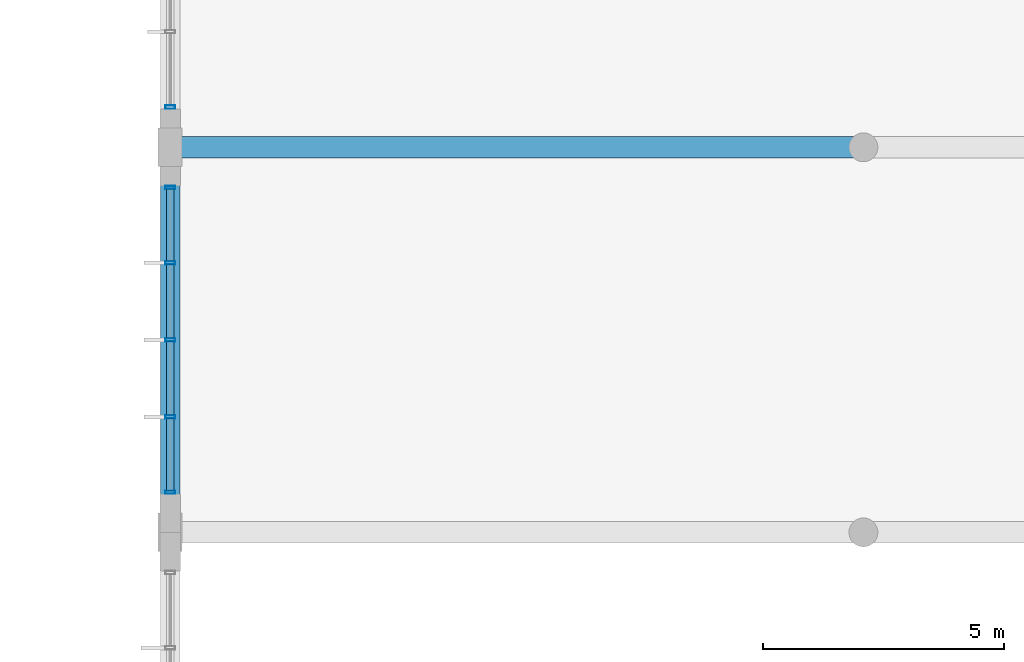
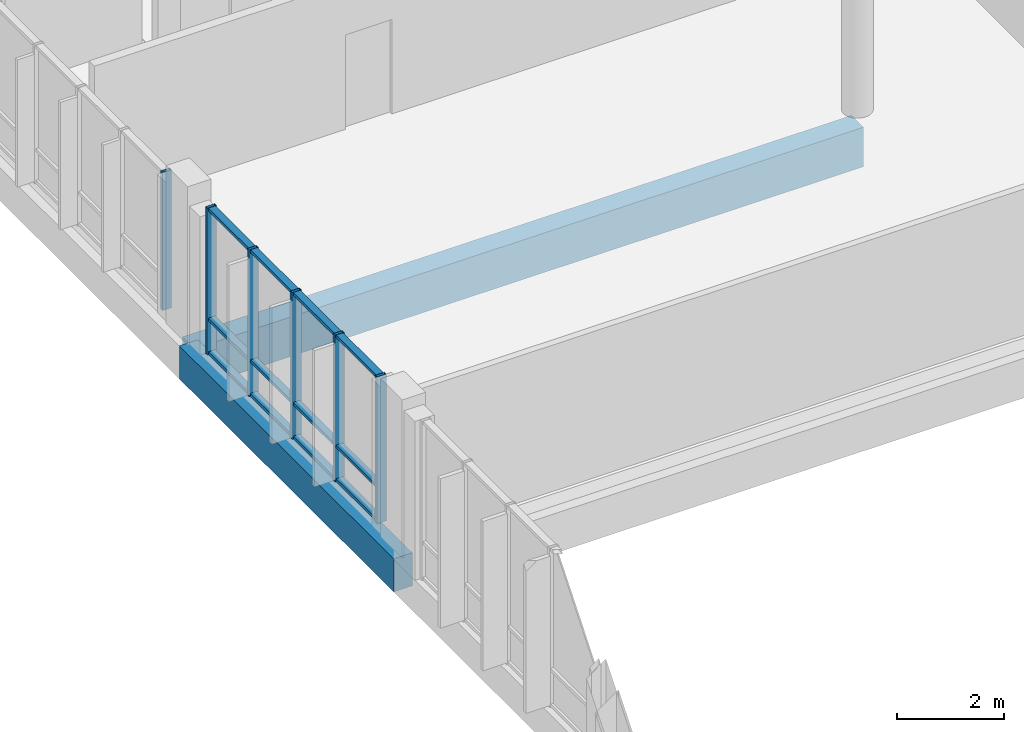
# One storey, part 75 of 189: 18 members, 2 beams, 2 elements without a shape of their own.
"""IFC4 building model written with IfcOpenShell, lengths in metres."""

from ifc_helpers import new_model, si_unit, direction, frame, origin, origin_2d, place, context, subcontext, project, spatial, rectangle, hollow_rectangle, extrude, material, material_profile, profile_set, type_object, element, aggregate, save


model = new_model("IFC4")

# Units and contexts
model_context = context("Model", 3, precision=1e-05, world=origin(), true_north=direction((0.0, 1.0)))
body_context = subcontext(model_context, "Body", "Model", "MODEL_VIEW")
ifc_project = project(units=[si_unit("LENGTHUNIT", "METRE"), si_unit("AREAUNIT", "SQUARE_METRE"), si_unit("VOLUMEUNIT", "CUBIC_METRE"), si_unit("PLANEANGLEUNIT", "RADIAN"), si_unit("MASSUNIT", "GRAM", prefix="KILO")], contexts=[model_context])

# Site, building, storey
site_placement = place(None, origin())
site = spatial("IfcSite", under=ifc_project, at=site_placement, CompositionType="ELEMENT")
building_placement = place(site_placement, origin())
building = spatial("IfcBuilding", under=site, at=building_placement, Name="Zavelmont Quarter", CompositionType="ELEMENT")
storey_placement = place(building_placement, frame((0.0, 0.0, 4.39990234375)))
storey = spatial("IfcBuildingStorey", under=building, at=storey_placement, Name="L01", CompositionType="ELEMENT", Elevation=4.39990234375)

# Beams
ifc_material_1 = material(Name="Concrete C40/50", Category="concrete")
ifc_material_profile_1 = material_profile(ifc_material_1, rectangle(XDim=0.39990234375, YDim=0.75, at=origin_2d()), Name="RC400X750")
ifc_profile_set_1 = profile_set([ifc_material_profile_1], Name="Concrete C40/50")
beam_type_1 = type_object("IfcBeamType", Name="BM05", PredefinedType="BEAM", material=ifc_profile_set_1)
beam_1_placement = place(storey_placement, frame((55.199951171875, 62.0, -0.65478515625), z_axis=(0.0, 1.0, 0.0), x_axis=(-1.0, 0.0, 0.0)))
element("IfcBeam", 1, at=beam_1_placement, inside=storey, type_object=beam_type_1, Name="L01 beam BM05 9/K to 9/L", PredefinedType="BEAM", context=body_context, shape_type="SweptSolid", body=[
    extrude(rectangle(XDim=0.39990234375, YDim=0.75, at=origin_2d()), origin(), (0.0, 0.0, 1.0), 8.0),
])
ifc_material_profile_2 = material_profile(ifc_material_1, rectangle(XDim=0.449951171875, YDim=0.89990234375, at=origin_2d()), Name="RC450X900")
ifc_profile_set_2 = profile_set([ifc_material_profile_2], Name="Concrete C40/50")
beam_type_2 = type_object("IfcBeamType", Name="BM06", PredefinedType="BEAM", material=ifc_profile_set_2)
beam_2_placement = place(storey_placement, frame((55.199951171875, 70.0, -0.72998046875), z_axis=(1.0, 0.0, 0.0), x_axis=(0.0, 1.0, 0.0)))
element("IfcBeam", 2, at=beam_2_placement, inside=storey, type_object=beam_type_2, Name="L01 beam BM06 9/L to 11/L", PredefinedType="BEAM", context=body_context, shape_type="SweptSolid", body=[
    extrude(rectangle(XDim=0.449951171875, YDim=0.89990234375, at=origin_2d()), origin(), (0.0, 0.0, 1.0), 14.400146484375),
])

# Curtain wall, members
ifc_material_2 = material(Name="Thermally broken aluminium and double low-E safety glazing", Category="aluminium")
curtain_wall_type_1 = type_object("IfcCurtainWallType", Name="CW-640X334", PredefinedType="NOTDEFINED", material=ifc_material_2)
curtain_wall_1_placement = place(storey_placement, origin())
curtain_wall_1 = element("IfcCurtainWall", 3, at=curtain_wall_1_placement, inside=storey, type_object=curtain_wall_type_1, Name="L01 unitised curtain wall CW-640X334", PredefinedType="NOTDEFINED")
ifc_material_3 = material(Name="Powder-coated aluminium EN AW-6063-T6", Category="aluminium")
ifc_material_profile_3 = material_profile(ifc_material_3, hollow_rectangle(XDim=0.070068359375, YDim=0.199951171875, WallThickness=0.0048828125, at=origin_2d()), Name="CWM70X200")
ifc_profile_set_3 = profile_set([ifc_material_profile_3], Name="Powder-coated aluminium EN AW-6063-T6")
member_type_1 = type_object("IfcMemberType", Name="CWM02", PredefinedType="MULLION", material=ifc_profile_set_3)
member_1_placement = place(storey_placement, frame((55.199951171875, 62.8349609375, 0.0), z_axis=(0.0, 0.0, 1.0), x_axis=(0.0, 1.0, 0.0)))
member_1 = element("IfcMember", 4, at=member_1_placement, type_object=member_type_1, Name="CW-640X334 mullion 1", PredefinedType="MULLION", context=body_context, shape_type="SweptSolid", body=[
    extrude(hollow_rectangle(XDim=0.070068359375, YDim=0.199951171875, WallThickness=0.0048828125, at=origin_2d()), origin(), (0.0, 0.0, 1.0), 3.340087890625),
])
member_2_placement = place(storey_placement, frame((55.199951171875, 64.39990234375, 0.0), z_axis=(0.0, 0.0, 1.0), x_axis=(0.0, 1.0, 0.0)))
member_2 = element("IfcMember", 5, at=member_2_placement, type_object=member_type_1, Name="CW-640X334 mullion 2", PredefinedType="MULLION", context=body_context, shape_type="SweptSolid", body=[
    extrude(hollow_rectangle(XDim=0.070068359375, YDim=0.199951171875, WallThickness=0.0048828125, at=origin_2d()), origin(), (0.0, 0.0, 1.0), 3.340087890625),
])
member_3_placement = place(storey_placement, frame((55.199951171875, 66.0, 0.0), z_axis=(0.0, 0.0, 1.0), x_axis=(0.0, 1.0, 0.0)))
member_3 = element("IfcMember", 6, at=member_3_placement, type_object=member_type_1, Name="CW-640X334 mullion 3", PredefinedType="MULLION", context=body_context, shape_type="SweptSolid", body=[
    extrude(hollow_rectangle(XDim=0.070068359375, YDim=0.199951171875, WallThickness=0.0048828125, at=origin_2d()), origin(), (0.0, 0.0, 1.0), 3.340087890625),
])
member_4_placement = place(storey_placement, frame((55.199951171875, 67.60009765625, 0.0), z_axis=(0.0, 0.0, 1.0), x_axis=(0.0, 1.0, 0.0)))
member_4 = element("IfcMember", 7, at=member_4_placement, type_object=member_type_1, Name="CW-640X334 mullion 4", PredefinedType="MULLION", context=body_context, shape_type="SweptSolid", body=[
    extrude(hollow_rectangle(XDim=0.070068359375, YDim=0.199951171875, WallThickness=0.0048828125, at=origin_2d()), origin(), (0.0, 0.0, 1.0), 3.340087890625),
])
member_5_placement = place(storey_placement, frame((55.199951171875, 69.1650390625, 0.0), z_axis=(0.0, 0.0, 1.0), x_axis=(0.0, 1.0, 0.0)))
member_5 = element("IfcMember", 8, at=member_5_placement, type_object=member_type_1, Name="CW-640X334 mullion 5", PredefinedType="MULLION", context=body_context, shape_type="SweptSolid", body=[
    extrude(hollow_rectangle(XDim=0.070068359375, YDim=0.199951171875, WallThickness=0.0048828125, at=origin_2d()), origin(), (0.0, 0.0, 1.0), 3.340087890625),
])

# Curtain wall, member
curtain_wall_type_2 = type_object("IfcCurtainWallType", Name="CW-640X314", PredefinedType="NOTDEFINED", material=ifc_material_2)
curtain_wall_2_placement = place(storey_placement, origin())
curtain_wall_2 = element("IfcCurtainWall", 9, at=curtain_wall_2_placement, inside=storey, type_object=curtain_wall_type_2, Name="L01 unitised curtain wall CW-640X314", PredefinedType="NOTDEFINED")
member_6_placement = place(storey_placement, frame((55.199951171875, 70.8349609375, 0.0), z_axis=(0.0, 0.0, 1.0), x_axis=(0.0, 1.0, 0.0)))
member_6 = element("IfcMember", 10, at=member_6_placement, type_object=member_type_1, Name="CW-640X314 mullion 1", PredefinedType="MULLION", context=body_context, shape_type="SweptSolid", body=[
    extrude(hollow_rectangle(XDim=0.070068359375, YDim=0.199951171875, WallThickness=0.0048828125, at=origin_2d()), origin(), (0.0, 0.0, 1.0), 3.14501953125),
])
aggregate(curtain_wall_2, [member_6])

# Member
ifc_material_profile_4 = material_profile(ifc_material_3, hollow_rectangle(XDim=0.14990234375, YDim=0.070068359375, WallThickness=0.00439453125, at=origin_2d()), Name="CWT70X150")
ifc_profile_set_4 = profile_set([ifc_material_profile_4], Name="Powder-coated aluminium EN AW-6063-T6")
member_type_2 = type_object("IfcMemberType", Name="CWT02", PredefinedType="NOTDEFINED", material=ifc_profile_set_4)
member_7_placement = place(storey_placement, frame((55.199951171875, 62.8701171875, 0.03515625), z_axis=(0.0, 1.0, 0.0), x_axis=(-1.0, 0.0, 0.0)))
member_7 = element("IfcMember", 11, at=member_7_placement, type_object=member_type_2, Name="CW-640X334 transom 1.1", ObjectType="TRANSOM", PredefinedType="USERDEFINED", context=body_context, shape_type="SweptSolid", body=[
    extrude(hollow_rectangle(XDim=0.14990234375, YDim=0.070068359375, WallThickness=0.00439453125, at=origin_2d()), origin(), (0.0, 0.0, 1.0), 1.494873046875),
])

member_8_placement = place(storey_placement, frame((55.199951171875, 62.8701171875, 0.802001953125), z_axis=(0.0, 1.0, 0.0), x_axis=(-1.0, 0.0, 0.0)))
member_8 = element("IfcMember", 12, at=member_8_placement, type_object=member_type_2, Name="CW-640X334 transom 1.2", ObjectType="TRANSOM", PredefinedType="USERDEFINED", context=body_context, shape_type="SweptSolid", body=[
    extrude(hollow_rectangle(XDim=0.14990234375, YDim=0.070068359375, WallThickness=0.00439453125, at=origin_2d()), origin(), (0.0, 0.0, 1.0), 1.494873046875),
])

member_9_placement = place(storey_placement, frame((55.199951171875, 62.8701171875, 3.30517578125), z_axis=(0.0, 1.0, 0.0), x_axis=(-1.0, 0.0, 0.0)))
member_9 = element("IfcMember", 13, at=member_9_placement, type_object=member_type_2, Name="CW-640X334 transom 1.3", ObjectType="TRANSOM", PredefinedType="USERDEFINED", context=body_context, shape_type="SweptSolid", body=[
    extrude(hollow_rectangle(XDim=0.14990234375, YDim=0.070068359375, WallThickness=0.00439453125, at=origin_2d()), origin(), (0.0, 0.0, 1.0), 1.494873046875),
])

member_10_placement = place(storey_placement, frame((55.199951171875, 64.43505859375, 0.03515625), z_axis=(0.0, 1.0, 0.0), x_axis=(-1.0, 0.0, 0.0)))
member_10 = element("IfcMember", 14, at=member_10_placement, type_object=member_type_2, Name="CW-640X334 transom 2.1", ObjectType="TRANSOM", PredefinedType="USERDEFINED", context=body_context, shape_type="SweptSolid", body=[
    extrude(hollow_rectangle(XDim=0.14990234375, YDim=0.070068359375, WallThickness=0.00439453125, at=origin_2d()), origin(), (0.0, 0.0, 1.0), 1.530029296875),
])

member_11_placement = place(storey_placement, frame((55.199951171875, 64.43505859375, 0.802001953125), z_axis=(0.0, 1.0, 0.0), x_axis=(-1.0, 0.0, 0.0)))
member_11 = element("IfcMember", 15, at=member_11_placement, type_object=member_type_2, Name="CW-640X334 transom 2.2", ObjectType="TRANSOM", PredefinedType="USERDEFINED", context=body_context, shape_type="SweptSolid", body=[
    extrude(hollow_rectangle(XDim=0.14990234375, YDim=0.070068359375, WallThickness=0.00439453125, at=origin_2d()), origin(), (0.0, 0.0, 1.0), 1.530029296875),
])

member_12_placement = place(storey_placement, frame((55.199951171875, 64.43505859375, 3.30517578125), z_axis=(0.0, 1.0, 0.0), x_axis=(-1.0, 0.0, 0.0)))
member_12 = element("IfcMember", 16, at=member_12_placement, type_object=member_type_2, Name="CW-640X334 transom 2.3", ObjectType="TRANSOM", PredefinedType="USERDEFINED", context=body_context, shape_type="SweptSolid", body=[
    extrude(hollow_rectangle(XDim=0.14990234375, YDim=0.070068359375, WallThickness=0.00439453125, at=origin_2d()), origin(), (0.0, 0.0, 1.0), 1.530029296875),
])

member_13_placement = place(storey_placement, frame((55.199951171875, 66.034912109375, 0.03515625), z_axis=(0.0, 1.0, 0.0), x_axis=(-1.0, 0.0, 0.0)))
member_13 = element("IfcMember", 17, at=member_13_placement, type_object=member_type_2, Name="CW-640X334 transom 3.1", ObjectType="TRANSOM", PredefinedType="USERDEFINED", context=body_context, shape_type="SweptSolid", body=[
    extrude(hollow_rectangle(XDim=0.14990234375, YDim=0.070068359375, WallThickness=0.00439453125, at=origin_2d()), origin(), (0.0, 0.0, 1.0), 1.530029296875),
])

member_14_placement = place(storey_placement, frame((55.199951171875, 66.034912109375, 0.802001953125), z_axis=(0.0, 1.0, 0.0), x_axis=(-1.0, 0.0, 0.0)))
member_14 = element("IfcMember", 18, at=member_14_placement, type_object=member_type_2, Name="CW-640X334 transom 3.2", ObjectType="TRANSOM", PredefinedType="USERDEFINED", context=body_context, shape_type="SweptSolid", body=[
    extrude(hollow_rectangle(XDim=0.14990234375, YDim=0.070068359375, WallThickness=0.00439453125, at=origin_2d()), origin(), (0.0, 0.0, 1.0), 1.530029296875),
])

member_15_placement = place(storey_placement, frame((55.199951171875, 66.034912109375, 3.30517578125), z_axis=(0.0, 1.0, 0.0), x_axis=(-1.0, 0.0, 0.0)))
member_15 = element("IfcMember", 19, at=member_15_placement, type_object=member_type_2, Name="CW-640X334 transom 3.3", ObjectType="TRANSOM", PredefinedType="USERDEFINED", context=body_context, shape_type="SweptSolid", body=[
    extrude(hollow_rectangle(XDim=0.14990234375, YDim=0.070068359375, WallThickness=0.00439453125, at=origin_2d()), origin(), (0.0, 0.0, 1.0), 1.530029296875),
])

member_16_placement = place(storey_placement, frame((55.199951171875, 67.635009765625, 0.03515625), z_axis=(0.0, 1.0, 0.0), x_axis=(-1.0, 0.0, 0.0)))
member_16 = element("IfcMember", 20, at=member_16_placement, type_object=member_type_2, Name="CW-640X334 transom 4.1", ObjectType="TRANSOM", PredefinedType="USERDEFINED", context=body_context, shape_type="SweptSolid", body=[
    extrude(hollow_rectangle(XDim=0.14990234375, YDim=0.070068359375, WallThickness=0.00439453125, at=origin_2d()), origin(), (0.0, 0.0, 1.0), 1.494873046875),
])

member_17_placement = place(storey_placement, frame((55.199951171875, 67.635009765625, 0.802001953125), z_axis=(0.0, 1.0, 0.0), x_axis=(-1.0, 0.0, 0.0)))
member_17 = element("IfcMember", 21, at=member_17_placement, type_object=member_type_2, Name="CW-640X334 transom 4.2", ObjectType="TRANSOM", PredefinedType="USERDEFINED", context=body_context, shape_type="SweptSolid", body=[
    extrude(hollow_rectangle(XDim=0.14990234375, YDim=0.070068359375, WallThickness=0.00439453125, at=origin_2d()), origin(), (0.0, 0.0, 1.0), 1.494873046875),
])

member_18_placement = place(storey_placement, frame((55.199951171875, 67.635009765625, 3.30517578125), z_axis=(0.0, 1.0, 0.0), x_axis=(-1.0, 0.0, 0.0)))
member_18 = element("IfcMember", 22, at=member_18_placement, type_object=member_type_2, Name="CW-640X334 transom 4.3", ObjectType="TRANSOM", PredefinedType="USERDEFINED", context=body_context, shape_type="SweptSolid", body=[
    extrude(hollow_rectangle(XDim=0.14990234375, YDim=0.070068359375, WallThickness=0.00439453125, at=origin_2d()), origin(), (0.0, 0.0, 1.0), 1.494873046875),
])

aggregate(curtain_wall_1, [member_1, member_2, member_3, member_4, member_5, member_7, member_8, member_9, member_10, member_11, member_12, member_13, member_14, member_15, member_16, member_17, member_18])

save(model, "model.ifc")
